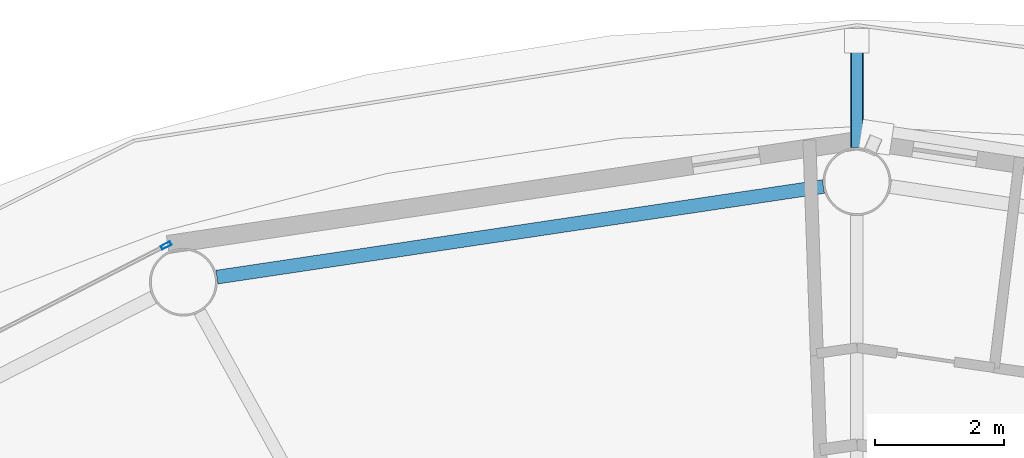
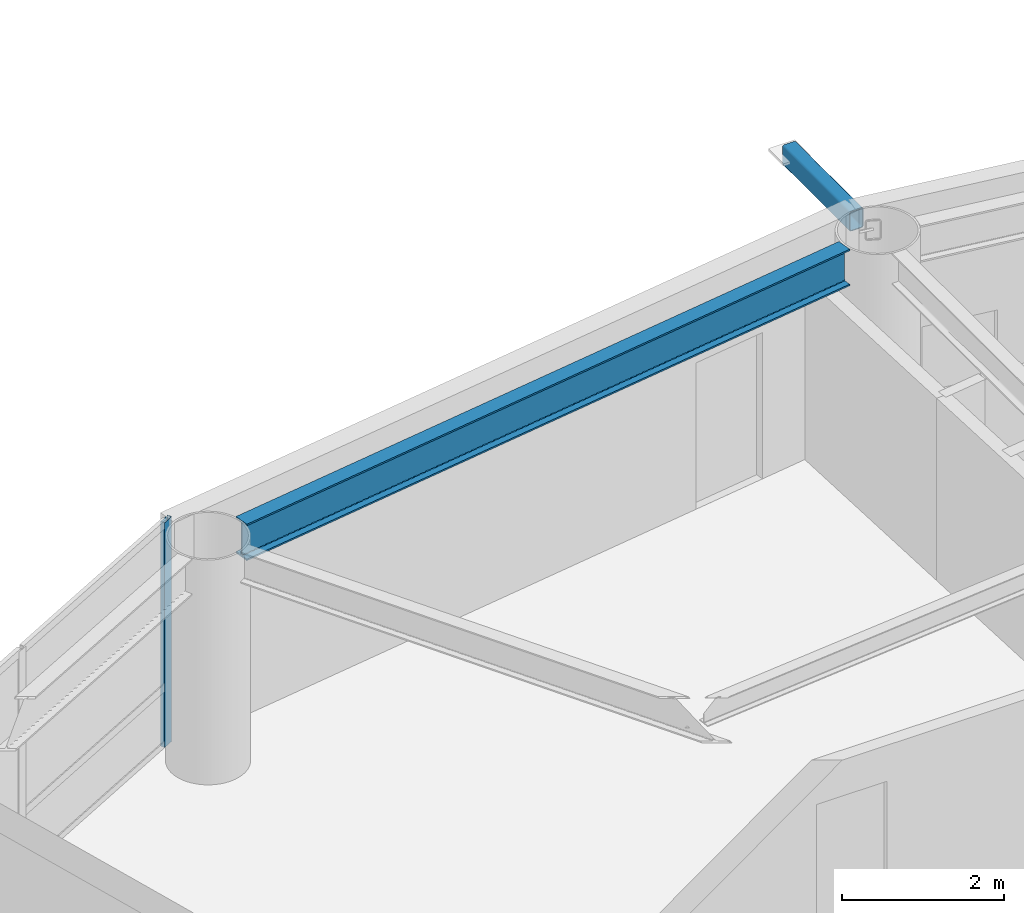
# One storey, part 13 of 30: 2 members, 1 beam, 1 element without a shape of its own.
"""IFC4 building model written with IfcOpenShell, lengths in metres."""

from ifc_helpers import new_model, si_unit, direction, frame, origin, origin_2d, place, context, subcontext, project, spatial, hollow_rectangle, i_section, extrude, material, layer, layer_set, material_profile, profile_set, type_object, element, aggregate, save


model = new_model("IFC4")

# Units and contexts
model_context = context("Model", 3, precision=1e-05, world=origin(), true_north=direction((0.0, 1.0)))
body_context = subcontext(model_context, "Body", "Model", "MODEL_VIEW")
ifc_project = project(units=[si_unit("LENGTHUNIT", "METRE"), si_unit("AREAUNIT", "SQUARE_METRE"), si_unit("VOLUMEUNIT", "CUBIC_METRE"), si_unit("PLANEANGLEUNIT", "RADIAN"), si_unit("MASSUNIT", "GRAM", prefix="KILO")], contexts=[model_context])

# Site, building, storey
site_placement = place(None, origin())
site = spatial("IfcSite", under=ifc_project, at=site_placement, CompositionType="ELEMENT")
building_placement = place(site_placement, origin())
building = spatial("IfcBuilding", under=site, at=building_placement, Name="Sarneth Arch Tower", CompositionType="ELEMENT")
storey_placement = place(building_placement, frame((0.0, 0.0, 168.60009765625)))
storey = spatial("IfcBuildingStorey", under=building, at=storey_placement, Name="L42", CompositionType="ELEMENT", Elevation=168.60009765625)

# Beam
ifc_material_1 = material(Name="Steel S355", Category="steel")
ifc_material_profile_1 = material_profile(ifc_material_1, i_section(OverallWidth=0.214111328125, OverallDepth=0.549072265625, WebThickness=0.0146484375, FlangeThickness=0.023681640625, FilletRadius=0.01806640625, at=origin_2d()), Name="W530x138")
ifc_profile_set_1 = profile_set([ifc_material_profile_1], Name="Steel S355")
beam_type = type_object("IfcBeamType", Name="BM-RAD-530A", PredefinedType="BEAM", material=ifc_profile_set_1)
beam_placement = place(storey_placement, frame((47.480712890625, 62.37255859375, 3.10546875), z_axis=(-0.989027145133, -0.14773390332, 0.0), x_axis=(0.14773390332, -0.989027145133, 0.0)))
element("IfcBeam", 1, at=beam_placement, inside=storey, type_object=beam_type, Name="L42 Perimeter spandrel beam 05", PredefinedType="BEAM", context=body_context, shape_type="SweptSolid", body=[
    extrude(i_section(OverallWidth=0.214111328125, OverallDepth=0.549072265625, WebThickness=0.0146484375, FlangeThickness=0.023681640625, FilletRadius=0.01806640625, at=origin_2d()), origin(), (0.0, 0.0, 1.0), 9.4873046875),
])

# Curtain wall, member
ifc_material_2 = material(Name="Anodised aluminium Type AA25 and solar-control low-e laminated IGU", Category="aluminium")
ifc_layer = layer(ifc_material_2, 0.169921875)
ifc_layer_set = layer_set([ifc_layer], Name="Anodised aluminium Type AA25 and solar-control low-e laminated IGU")
curtain_wall_type = type_object("IfcCurtainWallType", Name="CW-RES-MID", PredefinedType="NOTDEFINED", material=ifc_layer_set)
curtain_wall_placement = place(storey_placement, origin())
curtain_wall = element("IfcCurtainWall", 2, at=curtain_wall_placement, inside=storey, type_object=curtain_wall_type, Name="L42 Unitised curtain wall facet 06", PredefinedType="NOTDEFINED")
ifc_material_3 = material(Name="Anodised Aluminium 6063-T6", Category="aluminium")
ifc_material_profile_2 = material_profile(ifc_material_3, hollow_rectangle(XDim=0.06005859375, YDim=0.159912109375, WallThickness=0.00390625, at=origin_2d()), Name="AL-MULL-160x60x4")
ifc_profile_set_2 = profile_set([ifc_material_profile_2], Name="Anodised Aluminium 6063-T6")
member_type_1 = type_object("IfcMemberType", Name="CW-MULLION", PredefinedType="MULLION", material=ifc_profile_set_2)
member_1_placement = place(storey_placement, frame((37.310546875, 61.461669921875, 0.0), z_axis=(0.0, 0.0, 1.0), x_axis=(0.456208470329, -0.88987293003, 0.0)))
member_1 = element("IfcMember", 3, at=member_1_placement, type_object=member_type_1, Name="CW-SYS-5 mullion 1", PredefinedType="MULLION", context=body_context, shape_type="SweptSolid", body=[
    extrude(hollow_rectangle(XDim=0.06005859375, YDim=0.159912109375, WallThickness=0.00390625, at=origin_2d()), origin(), (0.0, 0.0, 1.0), 3.3798828125),
])
aggregate(curtain_wall, [member_1])

# Member
ifc_material_4 = material(Name="Steel S355", Category="steel")
ifc_material_profile_3 = material_profile(ifc_material_4, hollow_rectangle(XDim=0.199951171875, YDim=0.300048828125, WallThickness=0.012451171875, InnerFilletRadius=0.018798828125, OuterFilletRadius=0.03125, at=origin_2d()), Name="RHS300x200x12.5")
ifc_profile_set_3 = profile_set([ifc_material_profile_3], Name="Steel S355")
member_type_2 = type_object("IfcMemberType", Name="MEM-CANT-STRUT", PredefinedType="STRUT", material=ifc_profile_set_3)
member_2_placement = place(storey_placement, frame((48.0, 62.97509765625, 3.219970703125), z_axis=(0.0, 1.0, 0.0), x_axis=(-1.0, 0.0, 0.0)))
element("IfcMember", 4, at=member_2_placement, inside=storey, type_object=member_type_2, Name="L42 Balcony cantilever bracket 05", PredefinedType="STRUT", context=body_context, shape_type="SweptSolid", body=[
    extrude(hollow_rectangle(XDim=0.199951171875, YDim=0.300048828125, WallThickness=0.012451171875, InnerFilletRadius=0.018798828125, OuterFilletRadius=0.03125, at=origin_2d()), origin(), (0.0, 0.0, 1.0), 1.652099609375),
])

save(model, "model.ifc")
